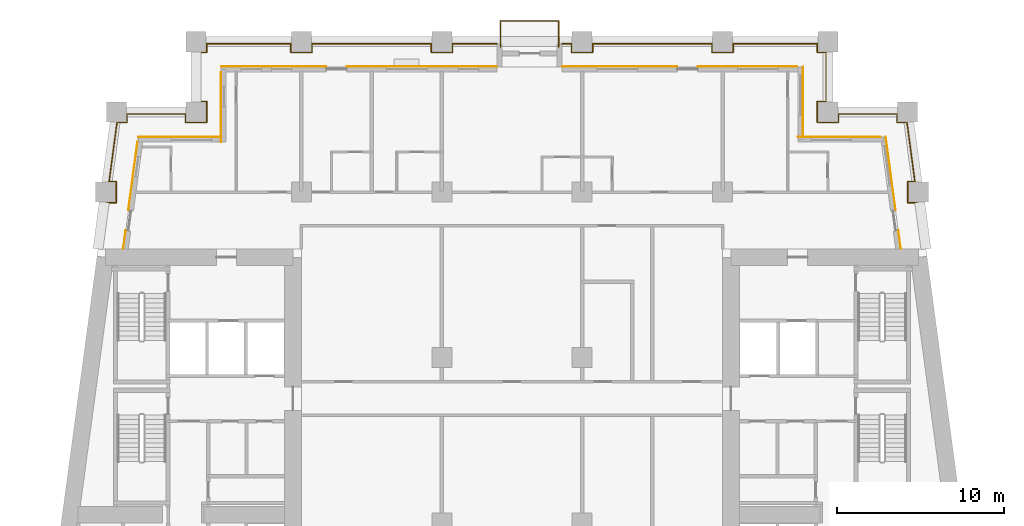
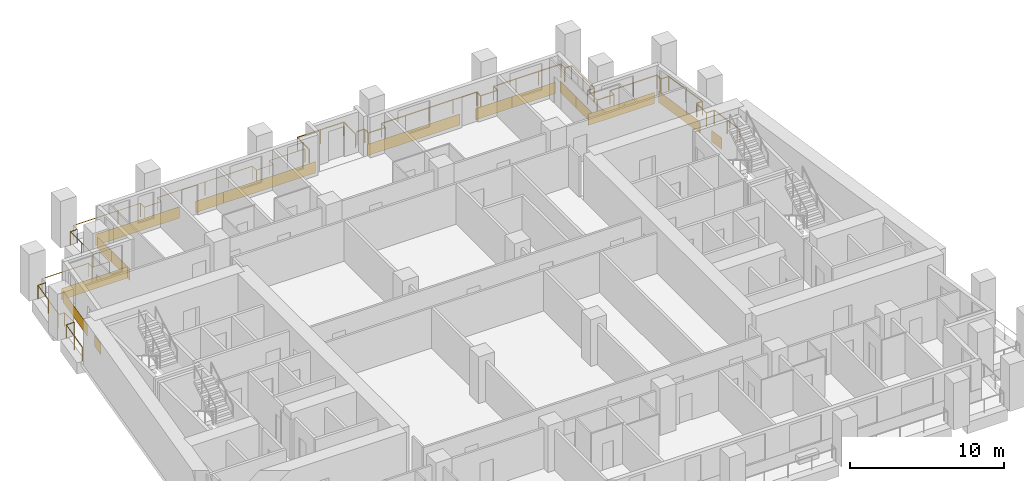
# One storey, part 12 of 13: 16 coverings, 3 railings.
"""IFC4 building model written with IfcOpenShell, lengths in metres."""

from ifc_helpers import new_model, si_unit, direction, frame, origin, origin_2d, place, context, subcontext, project, spatial, rectangle, circle, extrude, material, layer, layer_set, type_object, element, save


model = new_model("IFC4")

# Units and contexts
model_context = context("Model", 3, precision=1e-05, world=origin(), true_north=direction((0.0, 1.0)))
body_context = subcontext(model_context, "Body", "Model", "MODEL_VIEW")
ifc_project = project(units=[si_unit("LENGTHUNIT", "METRE"), si_unit("AREAUNIT", "SQUARE_METRE"), si_unit("VOLUMEUNIT", "CUBIC_METRE"), si_unit("PLANEANGLEUNIT", "RADIAN"), si_unit("MASSUNIT", "GRAM", prefix="KILO")], contexts=[model_context])

# Site, building, storey
site_placement = place(None, origin())
site = spatial("IfcSite", under=ifc_project, at=site_placement, CompositionType="ELEMENT")
building_placement = place(site_placement, origin())
building = spatial("IfcBuilding", under=site, at=building_placement, Name="Candeia Pilgrim Tower and Theatre", CompositionType="ELEMENT")
storey_placement = place(building_placement, frame((0.0, 0.0, 131.699951171875)))
storey = spatial("IfcBuildingStorey", under=building, at=storey_placement, Name="L31", CompositionType="ELEMENT", Elevation=131.699951171875)

# Railings
ifc_material_1 = material(Name="Stainless steel balustrade", Category="steel")
railing_type = type_object("IfcRailingType", Name="G1 loggia guard 1100", PredefinedType="GUARDRAIL", material=ifc_material_1)
railing_1_placement = place(storey_placement, frame((88.758544921875, 132.449951171875, 0.0)))
element("IfcRailing", 1, at=railing_1_placement, inside=storey, type_object=railing_type, Name="Guard L31.2", PredefinedType="GUARDRAIL", context=body_context, shape_type="SweptSolid", body=[
    extrude(circle(Radius=0.02392578125, at=origin_2d()), frame((0.0, 0.0, 1.076171875), z_axis=(0.133433855259, 0.991057720958, 0.0), x_axis=(-0.991057720958, 0.133433855259, 0.0)), (0.0, 0.0, 1.0), 2.74462890625),
    extrude(circle(Radius=0.02392578125, at=origin_2d()), frame((0.3662109375, 2.719970703125, 1.076171875), z_axis=(1.0, 0.0, 0.0), x_axis=(0.0, 1.0, 0.0)), (0.0, 0.0, 1.0), 0.59375),
    extrude(circle(Radius=0.02392578125, at=origin_2d()), frame((0.9599609375, 2.719970703125, 1.076171875), z_axis=(0.0, 1.0, 0.0), x_axis=(-1.0, 0.0, 0.0)), (0.0, 0.0, 1.0), 1.260009765625),
    extrude(circle(Radius=0.02392578125, at=origin_2d()), frame((0.9599609375, 3.97998046875, 1.076171875), z_axis=(-1.0, 0.0, 0.0), x_axis=(0.0, -1.0, 0.0)), (0.0, 0.0, 1.0), 0.424072265625),
    extrude(circle(Radius=0.02392578125, at=origin_2d()), frame((0.535888671875, 3.97998046875, 1.076171875), z_axis=(0.133417176173, 0.991059966451, 0.0), x_axis=(-0.991059966451, 0.133417176173, 0.0)), (0.0, 0.0, 1.0), 3.572021484375),
    extrude(circle(Radius=0.02392578125, at=origin_2d()), frame((1.012451171875, 7.52001953125, 1.076171875), z_axis=(1.0, 0.0, 0.0), x_axis=(0.0, 1.0, 0.0)), (0.0, 0.0, 1.0), 0.593505859375),
    extrude(circle(Radius=0.02392578125, at=origin_2d()), frame((1.60595703125, 7.52001953125, 1.076171875), z_axis=(0.0, 1.0, 0.0), x_axis=(-1.0, 0.0, 0.0)), (0.0, 0.0, 1.0), 0.510009765625),
    extrude(circle(Radius=0.02392578125, at=origin_2d()), frame((1.60595703125, 8.030029296875, 1.076171875), z_axis=(1.0, 0.0, 0.0), x_axis=(0.0, 1.0, 0.0)), (0.0, 0.0, 1.0), 3.505615234375),
    extrude(circle(Radius=0.02392578125, at=origin_2d()), frame((5.111572265625, 8.030029296875, 1.076171875), z_axis=(0.0, -1.0, 0.0), x_axis=(1.0, 0.0, 0.0)), (0.0, 0.0, 1.0), 0.510009765625),
    extrude(circle(Radius=0.02392578125, at=origin_2d()), frame((5.111572265625, 7.52001953125, 1.076171875), z_axis=(1.0, 0.0, 0.0), x_axis=(0.0, 1.0, 0.0)), (0.0, 0.0, 1.0), 1.259765625),
    extrude(circle(Radius=0.02392578125, at=origin_2d()), frame((6.371337890625, 7.52001953125, 1.076171875), z_axis=(0.0, 1.0, 0.0), x_axis=(-1.0, 0.0, 0.0)), (0.0, 0.0, 1.0), 1.260009765625),
    extrude(circle(Radius=0.02392578125, at=origin_2d()), frame((6.371337890625, 8.780029296875, 1.076171875), z_axis=(-1.0, 0.0, 0.0), x_axis=(0.0, -1.0, 0.0)), (0.0, 0.0, 1.0), 0.509765625),
    extrude(circle(Radius=0.02392578125, at=origin_2d()), frame((5.861572265625, 8.780029296875, 1.076171875), z_axis=(0.0, 1.0, 0.0), x_axis=(-1.0, 0.0, 0.0)), (0.0, 0.0, 1.0), 2.93994140625),
    extrude(circle(Radius=0.02392578125, at=origin_2d()), frame((5.861572265625, 11.719970703125, 1.076171875), z_axis=(1.0, 0.0, 0.0), x_axis=(0.0, 1.0, 0.0)), (0.0, 0.0, 1.0), 0.509765625),
    extrude(circle(Radius=0.02392578125, at=origin_2d()), frame((6.371337890625, 11.719970703125, 1.076171875), z_axis=(0.0, 1.0, 0.0), x_axis=(-1.0, 0.0, 0.0)), (0.0, 0.0, 1.0), 0.510009765625),
    extrude(circle(Radius=0.02392578125, at=origin_2d()), frame((6.371337890625, 12.22998046875, 1.076171875), z_axis=(1.0, 0.0, 0.0), x_axis=(0.0, 1.0, 0.0)), (0.0, 0.0, 1.0), 5.0400390625),
    extrude(circle(Radius=0.02392578125, at=origin_2d()), frame((11.411376953125, 12.22998046875, 1.076171875), z_axis=(0.0, -1.0, 0.0), x_axis=(1.0, 0.0, 0.0)), (0.0, 0.0, 1.0), 0.510009765625),
    extrude(circle(Radius=0.02392578125, at=origin_2d()), frame((11.411376953125, 11.719970703125, 1.076171875), z_axis=(1.0, 0.0, 0.0), x_axis=(0.0, 1.0, 0.0)), (0.0, 0.0, 1.0), 1.260009765625),
    extrude(circle(Radius=0.02392578125, at=origin_2d()), frame((12.67138671875, 11.719970703125, 1.076171875), z_axis=(0.0, 1.0, 0.0), x_axis=(-1.0, 0.0, 0.0)), (0.0, 0.0, 1.0), 0.510009765625),
    extrude(circle(Radius=0.02392578125, at=origin_2d()), frame((12.67138671875, 12.22998046875, 1.076171875), z_axis=(1.0, 0.0, 0.0), x_axis=(0.0, 1.0, 0.0)), (0.0, 0.0, 1.0), 7.14013671875),
    extrude(circle(Radius=0.02392578125, at=origin_2d()), frame((19.8115234375, 12.22998046875, 1.076171875), z_axis=(0.0, -1.0, 0.0), x_axis=(1.0, 0.0, 0.0)), (0.0, 0.0, 1.0), 0.510009765625),
    extrude(circle(Radius=0.02392578125, at=origin_2d()), frame((19.8115234375, 11.719970703125, 1.076171875), z_axis=(1.0, 0.0, 0.0), x_axis=(0.0, 1.0, 0.0)), (0.0, 0.0, 1.0), 1.260009765625),
    extrude(circle(Radius=0.02392578125, at=origin_2d()), frame((21.071533203125, 11.719970703125, 1.076171875), z_axis=(0.0, 1.0, 0.0), x_axis=(-1.0, 0.0, 0.0)), (0.0, 0.0, 1.0), 0.510009765625),
    extrude(circle(Radius=0.02392578125, at=origin_2d()), frame((21.071533203125, 12.22998046875, 1.076171875), z_axis=(1.0, 0.0, 0.0), x_axis=(0.0, 1.0, 0.0)), (0.0, 0.0, 1.0), 2.669921875),
    extrude(circle(Radius=0.02099609375, at=origin_2d()), origin(), (0.0, 0.0, 1.0), 1.052001953125),
    extrude(circle(Radius=0.02099609375, at=origin_2d()), frame((0.18310546875, 1.35986328125, 0.0)), (0.0, 0.0, 1.0), 1.052001953125),
    extrude(circle(Radius=0.02099609375, at=origin_2d()), frame((0.3662109375, 2.719970703125, 0.0)), (0.0, 0.0, 1.0), 1.052001953125),
    extrude(circle(Radius=0.02099609375, at=origin_2d()), frame((0.9599609375, 2.719970703125, 0.0)), (0.0, 0.0, 1.0), 1.052001953125),
    extrude(circle(Radius=0.02099609375, at=origin_2d()), frame((0.9599609375, 3.97998046875, 0.0)), (0.0, 0.0, 1.0), 1.052001953125),
    extrude(circle(Radius=0.02099609375, at=origin_2d()), frame((0.535888671875, 3.97998046875, 0.0)), (0.0, 0.0, 1.0), 1.052001953125),
    extrude(circle(Radius=0.02099609375, at=origin_2d()), frame((0.774169921875, 5.75, 0.0)), (0.0, 0.0, 1.0), 1.052001953125),
    extrude(circle(Radius=0.02099609375, at=origin_2d()), frame((1.012451171875, 7.52001953125, 0.0)), (0.0, 0.0, 1.0), 1.052001953125),
    extrude(circle(Radius=0.02099609375, at=origin_2d()), frame((1.60595703125, 7.52001953125, 0.0)), (0.0, 0.0, 1.0), 1.052001953125),
    extrude(circle(Radius=0.02099609375, at=origin_2d()), frame((1.60595703125, 8.030029296875, 0.0)), (0.0, 0.0, 1.0), 1.052001953125),
    extrude(circle(Radius=0.02099609375, at=origin_2d()), frame((3.35888671875, 8.030029296875, 0.0)), (0.0, 0.0, 1.0), 1.052001953125),
    extrude(circle(Radius=0.02099609375, at=origin_2d()), frame((5.111572265625, 8.030029296875, 0.0)), (0.0, 0.0, 1.0), 1.052001953125),
    extrude(circle(Radius=0.02099609375, at=origin_2d()), frame((5.111572265625, 7.52001953125, 0.0)), (0.0, 0.0, 1.0), 1.052001953125),
    extrude(circle(Radius=0.02099609375, at=origin_2d()), frame((6.371337890625, 7.52001953125, 0.0)), (0.0, 0.0, 1.0), 1.052001953125),
    extrude(circle(Radius=0.02099609375, at=origin_2d()), frame((6.371337890625, 8.780029296875, 0.0)), (0.0, 0.0, 1.0), 1.052001953125),
    extrude(circle(Radius=0.02099609375, at=origin_2d()), frame((5.861572265625, 8.780029296875, 0.0)), (0.0, 0.0, 1.0), 1.052001953125),
    extrude(circle(Radius=0.02099609375, at=origin_2d()), frame((5.861572265625, 10.25, 0.0)), (0.0, 0.0, 1.0), 1.052001953125),
    extrude(circle(Radius=0.02099609375, at=origin_2d()), frame((5.861572265625, 11.719970703125, 0.0)), (0.0, 0.0, 1.0), 1.052001953125),
    extrude(circle(Radius=0.02099609375, at=origin_2d()), frame((6.371337890625, 11.719970703125, 0.0)), (0.0, 0.0, 1.0), 1.052001953125),
    extrude(circle(Radius=0.02099609375, at=origin_2d()), frame((6.371337890625, 12.22998046875, 0.0)), (0.0, 0.0, 1.0), 1.052001953125),
    extrude(circle(Radius=0.02099609375, at=origin_2d()), frame((8.05126953125, 12.22998046875, 0.0)), (0.0, 0.0, 1.0), 1.052001953125),
    extrude(circle(Radius=0.02099609375, at=origin_2d()), frame((9.7314453125, 12.22998046875, 0.0)), (0.0, 0.0, 1.0), 1.052001953125),
    extrude(circle(Radius=0.02099609375, at=origin_2d()), frame((11.411376953125, 12.22998046875, 0.0)), (0.0, 0.0, 1.0), 1.052001953125),
    extrude(circle(Radius=0.02099609375, at=origin_2d()), frame((11.411376953125, 11.719970703125, 0.0)), (0.0, 0.0, 1.0), 1.052001953125),
    extrude(circle(Radius=0.02099609375, at=origin_2d()), frame((12.67138671875, 11.719970703125, 0.0)), (0.0, 0.0, 1.0), 1.052001953125),
    extrude(circle(Radius=0.02099609375, at=origin_2d()), frame((12.67138671875, 12.22998046875, 0.0)), (0.0, 0.0, 1.0), 1.052001953125),
    extrude(circle(Radius=0.02099609375, at=origin_2d()), frame((14.45654296875, 12.22998046875, 0.0)), (0.0, 0.0, 1.0), 1.052001953125),
    extrude(circle(Radius=0.02099609375, at=origin_2d()), frame((16.241455078125, 12.22998046875, 0.0)), (0.0, 0.0, 1.0), 1.052001953125),
    extrude(circle(Radius=0.02099609375, at=origin_2d()), frame((18.0263671875, 12.22998046875, 0.0)), (0.0, 0.0, 1.0), 1.052001953125),
    extrude(circle(Radius=0.02099609375, at=origin_2d()), frame((19.8115234375, 12.22998046875, 0.0)), (0.0, 0.0, 1.0), 1.052001953125),
    extrude(circle(Radius=0.02099609375, at=origin_2d()), frame((19.8115234375, 11.719970703125, 0.0)), (0.0, 0.0, 1.0), 1.052001953125),
    extrude(circle(Radius=0.02099609375, at=origin_2d()), frame((21.071533203125, 11.719970703125, 0.0)), (0.0, 0.0, 1.0), 1.052001953125),
    extrude(circle(Radius=0.02099609375, at=origin_2d()), frame((21.071533203125, 12.22998046875, 0.0)), (0.0, 0.0, 1.0), 1.052001953125),
    extrude(circle(Radius=0.02099609375, at=origin_2d()), frame((22.406494140625, 12.22998046875, 0.0)), (0.0, 0.0, 1.0), 1.052001953125),
    extrude(circle(Radius=0.02099609375, at=origin_2d()), frame((23.741455078125, 12.22998046875, 0.0)), (0.0, 0.0, 1.0), 1.052001953125),
])
railing_2_placement = place(storey_placement, frame((116.39990234375, 144.679931640625, 0.0)))
element("IfcRailing", 2, at=railing_2_placement, inside=storey, type_object=railing_type, Name="Guard L31.3", PredefinedType="GUARDRAIL", context=body_context, shape_type="SweptSolid", body=[
    extrude(circle(Radius=0.02392578125, at=origin_2d()), frame((0.0, 0.0, 1.076171875), z_axis=(1.0, 0.0, 0.0), x_axis=(0.0, 1.0, 0.0)), (0.0, 0.0, 1.0), 0.570068359375),
    extrude(circle(Radius=0.02392578125, at=origin_2d()), frame((0.570068359375, 0.0, 1.076171875), z_axis=(0.0, -1.0, 0.0), x_axis=(1.0, 0.0, 0.0)), (0.0, 0.0, 1.0), 0.510009765625),
    extrude(circle(Radius=0.02392578125, at=origin_2d()), frame((0.570068359375, -0.510009765625, 1.076171875), z_axis=(1.0, 0.0, 0.0), x_axis=(0.0, 1.0, 0.0)), (0.0, 0.0, 1.0), 1.260009765625),
    extrude(circle(Radius=0.02392578125, at=origin_2d()), frame((1.830078125, -0.510009765625, 1.076171875), z_axis=(0.0, 1.0, 0.0), x_axis=(-1.0, 0.0, 0.0)), (0.0, 0.0, 1.0), 0.510009765625),
    extrude(circle(Radius=0.02392578125, at=origin_2d()), frame((1.830078125, 0.0, 1.076171875), z_axis=(1.0, 0.0, 0.0), x_axis=(0.0, 1.0, 0.0)), (0.0, 0.0, 1.0), 7.14013671875),
    extrude(circle(Radius=0.02392578125, at=origin_2d()), frame((8.97021484375, 0.0, 1.076171875), z_axis=(0.0, -1.0, 0.0), x_axis=(1.0, 0.0, 0.0)), (0.0, 0.0, 1.0), 0.510009765625),
    extrude(circle(Radius=0.02392578125, at=origin_2d()), frame((8.97021484375, -0.510009765625, 1.076171875), z_axis=(1.0, 0.0, 0.0), x_axis=(0.0, 1.0, 0.0)), (0.0, 0.0, 1.0), 1.259765625),
    extrude(circle(Radius=0.02392578125, at=origin_2d()), frame((10.22998046875, -0.510009765625, 1.076171875), z_axis=(0.0, 1.0, 0.0), x_axis=(-1.0, 0.0, 0.0)), (0.0, 0.0, 1.0), 0.510009765625),
    extrude(circle(Radius=0.02392578125, at=origin_2d()), frame((10.22998046875, 0.0, 1.076171875), z_axis=(1.0, 0.0, 0.0), x_axis=(0.0, 1.0, 0.0)), (0.0, 0.0, 1.0), 5.0400390625),
    extrude(circle(Radius=0.02392578125, at=origin_2d()), frame((15.27001953125, 0.0, 1.076171875), z_axis=(0.0, -1.0, 0.0), x_axis=(1.0, 0.0, 0.0)), (0.0, 0.0, 1.0), 0.510009765625),
    extrude(circle(Radius=0.02392578125, at=origin_2d()), frame((15.27001953125, -0.510009765625, 1.076171875), z_axis=(1.0, 0.0, 0.0), x_axis=(0.0, 1.0, 0.0)), (0.0, 0.0, 1.0), 0.510009765625),
    extrude(circle(Radius=0.02392578125, at=origin_2d()), frame((15.780029296875, -0.510009765625, 1.076171875), z_axis=(0.0, -1.0, 0.0), x_axis=(1.0, 0.0, 0.0)), (0.0, 0.0, 1.0), 2.93994140625),
    extrude(circle(Radius=0.02392578125, at=origin_2d()), frame((15.780029296875, -3.449951171875, 1.076171875), z_axis=(-1.0, 0.0, 0.0), x_axis=(0.0, -1.0, 0.0)), (0.0, 0.0, 1.0), 0.510009765625),
    extrude(circle(Radius=0.02392578125, at=origin_2d()), frame((15.27001953125, -3.449951171875, 1.076171875), z_axis=(0.0, -1.0, 0.0), x_axis=(1.0, 0.0, 0.0)), (0.0, 0.0, 1.0), 1.260009765625),
    extrude(circle(Radius=0.02392578125, at=origin_2d()), frame((15.27001953125, -4.7099609375, 1.076171875), z_axis=(1.0, 0.0, 0.0), x_axis=(0.0, 1.0, 0.0)), (0.0, 0.0, 1.0), 1.260009765625),
    extrude(circle(Radius=0.02392578125, at=origin_2d()), frame((16.530029296875, -4.7099609375, 1.076171875), z_axis=(0.0, 1.0, 0.0), x_axis=(-1.0, 0.0, 0.0)), (0.0, 0.0, 1.0), 0.510009765625),
    extrude(circle(Radius=0.02392578125, at=origin_2d()), frame((16.530029296875, -4.199951171875, 1.076171875), z_axis=(1.0, 0.0, 0.0), x_axis=(0.0, 1.0, 0.0)), (0.0, 0.0, 1.0), 3.50537109375),
    extrude(circle(Radius=0.02392578125, at=origin_2d()), frame((20.035400390625, -4.199951171875, 1.076171875), z_axis=(0.0, -1.0, 0.0), x_axis=(1.0, 0.0, 0.0)), (0.0, 0.0, 1.0), 0.510009765625),
    extrude(circle(Radius=0.02392578125, at=origin_2d()), frame((20.035400390625, -4.7099609375, 1.076171875), z_axis=(1.0, 0.0, 0.0), x_axis=(0.0, 1.0, 0.0)), (0.0, 0.0, 1.0), 0.59375),
    extrude(circle(Radius=0.02392578125, at=origin_2d()), frame((20.629150390625, -4.7099609375, 1.076171875), z_axis=(0.133417176173, -0.991059966451, 0.0), x_axis=(0.991059966451, 0.133417176173, 0.0)), (0.0, 0.0, 1.0), 3.572021484375),
    extrude(circle(Radius=0.02392578125, at=origin_2d()), frame((21.105712890625, -8.25, 1.076171875), z_axis=(-1.0, 0.0, 0.0), x_axis=(0.0, -1.0, 0.0)), (0.0, 0.0, 1.0), 0.424072265625),
    extrude(circle(Radius=0.02392578125, at=origin_2d()), frame((20.681640625, -8.25, 1.076171875), z_axis=(0.0, -1.0, 0.0), x_axis=(1.0, 0.0, 0.0)), (0.0, 0.0, 1.0), 1.260009765625),
    extrude(circle(Radius=0.02392578125, at=origin_2d()), frame((20.681640625, -9.510009765625, 1.076171875), z_axis=(1.0, 0.0, 0.0), x_axis=(0.0, 1.0, 0.0)), (0.0, 0.0, 1.0), 0.59375),
    extrude(circle(Radius=0.02392578125, at=origin_2d()), frame((21.275390625, -9.510009765625, 1.076171875), z_axis=(0.133433855259, -0.991057720958, 0.0), x_axis=(0.991057720958, 0.133433855259, 0.0)), (0.0, 0.0, 1.0), 2.74462890625),
    extrude(circle(Radius=0.02099609375, at=origin_2d()), origin(), (0.0, 0.0, 1.0), 1.052001953125),
    extrude(circle(Radius=0.02099609375, at=origin_2d()), frame((0.570068359375, 0.0, 0.0)), (0.0, 0.0, 1.0), 1.052001953125),
    extrude(circle(Radius=0.02099609375, at=origin_2d()), frame((0.570068359375, -0.510009765625, 0.0)), (0.0, 0.0, 1.0), 1.052001953125),
    extrude(circle(Radius=0.02099609375, at=origin_2d()), frame((1.830078125, -0.510009765625, 0.0)), (0.0, 0.0, 1.0), 1.052001953125),
    extrude(circle(Radius=0.02099609375, at=origin_2d()), frame((1.830078125, 0.0, 0.0)), (0.0, 0.0, 1.0), 1.052001953125),
    extrude(circle(Radius=0.02099609375, at=origin_2d()), frame((3.615234375, 0.0, 0.0)), (0.0, 0.0, 1.0), 1.052001953125),
    extrude(circle(Radius=0.02099609375, at=origin_2d()), frame((5.400146484375, 0.0, 0.0)), (0.0, 0.0, 1.0), 1.052001953125),
    extrude(circle(Radius=0.02099609375, at=origin_2d()), frame((7.18505859375, 0.0, 0.0)), (0.0, 0.0, 1.0), 1.052001953125),
    extrude(circle(Radius=0.02099609375, at=origin_2d()), frame((8.97021484375, 0.0, 0.0)), (0.0, 0.0, 1.0), 1.052001953125),
    extrude(circle(Radius=0.02099609375, at=origin_2d()), frame((8.97021484375, -0.510009765625, 0.0)), (0.0, 0.0, 1.0), 1.052001953125),
    extrude(circle(Radius=0.02099609375, at=origin_2d()), frame((10.22998046875, -0.510009765625, 0.0)), (0.0, 0.0, 1.0), 1.052001953125),
    extrude(circle(Radius=0.02099609375, at=origin_2d()), frame((10.22998046875, 0.0, 0.0)), (0.0, 0.0, 1.0), 1.052001953125),
    extrude(circle(Radius=0.02099609375, at=origin_2d()), frame((11.909912109375, 0.0, 0.0)), (0.0, 0.0, 1.0), 1.052001953125),
    extrude(circle(Radius=0.02099609375, at=origin_2d()), frame((13.590087890625, 0.0, 0.0)), (0.0, 0.0, 1.0), 1.052001953125),
    extrude(circle(Radius=0.02099609375, at=origin_2d()), frame((15.27001953125, 0.0, 0.0)), (0.0, 0.0, 1.0), 1.052001953125),
    extrude(circle(Radius=0.02099609375, at=origin_2d()), frame((15.27001953125, -0.510009765625, 0.0)), (0.0, 0.0, 1.0), 1.052001953125),
    extrude(circle(Radius=0.02099609375, at=origin_2d()), frame((15.780029296875, -0.510009765625, 0.0)), (0.0, 0.0, 1.0), 1.052001953125),
    extrude(circle(Radius=0.02099609375, at=origin_2d()), frame((15.780029296875, -1.97998046875, 0.0)), (0.0, 0.0, 1.0), 1.052001953125),
    extrude(circle(Radius=0.02099609375, at=origin_2d()), frame((15.780029296875, -3.449951171875, 0.0)), (0.0, 0.0, 1.0), 1.052001953125),
    extrude(circle(Radius=0.02099609375, at=origin_2d()), frame((15.27001953125, -3.449951171875, 0.0)), (0.0, 0.0, 1.0), 1.052001953125),
    extrude(circle(Radius=0.02099609375, at=origin_2d()), frame((15.27001953125, -4.7099609375, 0.0)), (0.0, 0.0, 1.0), 1.052001953125),
    extrude(circle(Radius=0.02099609375, at=origin_2d()), frame((16.530029296875, -4.7099609375, 0.0)), (0.0, 0.0, 1.0), 1.052001953125),
    extrude(circle(Radius=0.02099609375, at=origin_2d()), frame((16.530029296875, -4.199951171875, 0.0)), (0.0, 0.0, 1.0), 1.052001953125),
    extrude(circle(Radius=0.02099609375, at=origin_2d()), frame((18.28271484375, -4.199951171875, 0.0)), (0.0, 0.0, 1.0), 1.052001953125),
    extrude(circle(Radius=0.02099609375, at=origin_2d()), frame((20.035400390625, -4.199951171875, 0.0)), (0.0, 0.0, 1.0), 1.052001953125),
    extrude(circle(Radius=0.02099609375, at=origin_2d()), frame((20.035400390625, -4.7099609375, 0.0)), (0.0, 0.0, 1.0), 1.052001953125),
    extrude(circle(Radius=0.02099609375, at=origin_2d()), frame((20.629150390625, -4.7099609375, 0.0)), (0.0, 0.0, 1.0), 1.052001953125),
    extrude(circle(Radius=0.02099609375, at=origin_2d()), frame((20.867431640625, -6.47998046875, 0.0)), (0.0, 0.0, 1.0), 1.052001953125),
    extrude(circle(Radius=0.02099609375, at=origin_2d()), frame((21.105712890625, -8.25, 0.0)), (0.0, 0.0, 1.0), 1.052001953125),
    extrude(circle(Radius=0.02099609375, at=origin_2d()), frame((20.681640625, -8.25, 0.0)), (0.0, 0.0, 1.0), 1.052001953125),
    extrude(circle(Radius=0.02099609375, at=origin_2d()), frame((20.681640625, -9.510009765625, 0.0)), (0.0, 0.0, 1.0), 1.052001953125),
    extrude(circle(Radius=0.02099609375, at=origin_2d()), frame((21.275390625, -9.510009765625, 0.0)), (0.0, 0.0, 1.0), 1.052001953125),
    extrude(circle(Radius=0.02099609375, at=origin_2d()), frame((21.45849609375, -10.8701171875, 0.0)), (0.0, 0.0, 1.0), 1.052001953125),
    extrude(circle(Radius=0.02099609375, at=origin_2d()), frame((21.6416015625, -12.22998046875, 0.0)), (0.0, 0.0, 1.0), 1.052001953125),
])
railing_3_placement = place(storey_placement, frame((112.7099609375, 144.5, 0.0)))
element("IfcRailing", 3, at=railing_3_placement, inside=storey, type_object=railing_type, Name="Balcony guard L31", PredefinedType="GUARDRAIL", context=body_context, shape_type="SweptSolid", body=[
    extrude(circle(Radius=0.02392578125, at=origin_2d()), frame((0.0, 0.0, 1.076171875), z_axis=(0.0, 1.0, 0.0), x_axis=(-1.0, 0.0, 0.0)), (0.0, 0.0, 1.0), 1.5400390625),
    extrude(circle(Radius=0.02392578125, at=origin_2d()), frame((0.0, 1.5400390625, 1.076171875), z_axis=(1.0, 0.0, 0.0), x_axis=(0.0, 1.0, 0.0)), (0.0, 0.0, 1.0), 3.47998046875),
    extrude(circle(Radius=0.02392578125, at=origin_2d()), frame((3.47998046875, 1.5400390625, 1.076171875), z_axis=(0.0, -1.0, 0.0), x_axis=(1.0, 0.0, 0.0)), (0.0, 0.0, 1.0), 1.5400390625),
    extrude(circle(Radius=0.02099609375, at=origin_2d()), origin(), (0.0, 0.0, 1.0), 1.052001953125),
    extrude(circle(Radius=0.02099609375, at=origin_2d()), frame((0.0, 1.5400390625, 0.0)), (0.0, 0.0, 1.0), 1.052001953125),
    extrude(circle(Radius=0.02099609375, at=origin_2d()), frame((1.739990234375, 1.5400390625, 0.0)), (0.0, 0.0, 1.0), 1.052001953125),
    extrude(circle(Radius=0.02099609375, at=origin_2d()), frame((3.47998046875, 1.5400390625, 0.0)), (0.0, 0.0, 1.0), 1.052001953125),
    extrude(circle(Radius=0.02099609375, at=origin_2d()), frame((3.47998046875, 0.0, 0.0)), (0.0, 0.0, 1.0), 1.052001953125),
])

# Coverings
ifc_material_2 = material(Name="Glazed ceramic tile red")
ifc_layer_1 = layer(ifc_material_2, 0.02001953125)
ifc_layer_set_1 = layer_set([ifc_layer_1], Name="Glazed ceramic tile red")
covering_type_1 = type_object("IfcCoveringType", Name="Glazed ceramic tile red", PredefinedType="CLADDING", material=ifc_layer_set_1)
covering_1_placement = place(storey_placement, frame((132.976318359375, 139.110107421875, 0.0), z_axis=(0.0, 0.0, 1.0), x_axis=(-1.0, 0.0, 0.0)))
element("IfcCovering", 4, at=covering_1_placement, inside=storey, type_object=covering_type_1, Name="Tile cladding red L31", PredefinedType="CLADDING", context=body_context, shape_type="SweptSolid", body=[
    extrude(rectangle(XDim=4.95263671875, YDim=0.02001953125, at=origin_2d()), origin(), (0.0, 0.0, 1.0), 0.89990234375),
])
covering_2_placement = place(storey_placement, frame((130.81005859375, 142.25, 0.0), z_axis=(0.0, 0.0, 1.0), x_axis=(0.0, 1.0, 0.0)))
element("IfcCovering", 5, at=covering_2_placement, inside=storey, type_object=covering_type_1, Name="Tile cladding red L31", PredefinedType="CLADDING", context=body_context, shape_type="SweptSolid", body=[
    extrude(rectangle(XDim=2.10009765625, YDim=0.02001953125, at=origin_2d()), origin(), (0.0, 0.0, 1.0), 0.89990234375),
])
covering_3_placement = place(storey_placement, frame((128.840087890625, 143.31005859375, 0.0), z_axis=(0.0, 0.0, 1.0), x_axis=(-1.0, 0.0, 0.0)))
element("IfcCovering", 6, at=covering_3_placement, inside=storey, type_object=covering_type_1, Name="Tile cladding red L31", PredefinedType="CLADDING", context=body_context, shape_type="SweptSolid", body=[
    extrude(rectangle(XDim=3.280029296875, YDim=0.02001953125, at=origin_2d()), origin(), (0.0, 0.0, 1.0), 0.89990234375),
])
covering_4_placement = place(storey_placement, frame((104.550048828125, 143.31005859375, 0.0), z_axis=(0.0, 0.0, 1.0), x_axis=(-1.0, 0.0, 0.0)))
element("IfcCovering", 7, at=covering_4_placement, inside=storey, type_object=covering_type_1, Name="Tile cladding red L31", PredefinedType="CLADDING", context=body_context, shape_type="SweptSolid", body=[
    extrude(rectangle(XDim=2.10009765625, YDim=0.02001953125, at=origin_2d()), origin(), (0.0, 0.0, 1.0), 0.89990234375),
])
covering_5_placement = place(storey_placement, frame((99.14990234375, 143.31005859375, 0.0), z_axis=(0.0, 0.0, 1.0), x_axis=(-1.0, 0.0, 0.0)))
element("IfcCovering", 8, at=covering_5_placement, inside=storey, type_object=covering_type_1, Name="Tile cladding red L31", PredefinedType="CLADDING", context=body_context, shape_type="SweptSolid", body=[
    extrude(rectangle(XDim=6.300048828125, YDim=0.02001953125, at=origin_2d()), origin(), (0.0, 0.0, 1.0), 0.89990234375),
])
covering_6_placement = place(storey_placement, frame((95.989990234375, 142.090087890625, 0.0), z_axis=(0.0, 0.0, 1.0), x_axis=(0.0, -1.0, 0.0)))
element("IfcCovering", 9, at=covering_6_placement, inside=storey, type_object=covering_type_1, Name="Tile cladding red L31", PredefinedType="CLADDING", context=body_context, shape_type="SweptSolid", body=[
    extrude(rectangle(XDim=1.780029296875, YDim=0.02001953125, at=origin_2d()), origin(), (0.0, 0.0, 1.0), 0.89990234375),
])
covering_7_placement = place(storey_placement, frame((93.51318359375, 139.110107421875, 0.0), z_axis=(0.0, 0.0, 1.0), x_axis=(-1.0, 0.0, 0.0)))
element("IfcCovering", 10, at=covering_7_placement, inside=storey, type_object=covering_type_1, Name="Tile cladding red L31", PredefinedType="CLADDING", context=body_context, shape_type="SweptSolid", body=[
    extrude(rectangle(XDim=4.933837890625, YDim=0.02001953125, at=origin_2d()), origin(), (0.0, 0.0, 1.0), 0.89990234375),
])
ifc_material_3 = material(Name="Glazed ceramic tile rust")
ifc_layer_2 = layer(ifc_material_3, 0.02001953125)
ifc_layer_set_2 = layer_set([ifc_layer_2], Name="Glazed ceramic tile rust")
covering_type_2 = type_object("IfcCoveringType", Name="Glazed ceramic tile rust", PredefinedType="CLADDING", material=ifc_layer_set_2)
covering_8_placement = place(storey_placement, frame((136.588623046875, 132.97412109375, 0.0), z_axis=(0.0, 0.0, 1.0), x_axis=(-0.133412012145, 0.991060661622, 0.0)))
element("IfcCovering", 11, at=covering_8_placement, inside=storey, type_object=covering_type_2, Name="Tile cladding rust L31", PredefinedType="CLADDING", context=body_context, shape_type="SweptSolid", body=[
    extrude(rectangle(XDim=1.115234375, YDim=0.02001953125, at=origin_2d()), origin(), (0.0, 0.0, 1.0), 0.89990234375),
])
covering_9_placement = place(storey_placement, frame((136.058837890625, 136.90869140625, 0.0), z_axis=(0.0, 0.0, 1.0), x_axis=(-0.133412012145, 0.991060661622, 0.0)))
element("IfcCovering", 12, at=covering_9_placement, inside=storey, type_object=covering_type_2, Name="Tile cladding rust L31", PredefinedType="CLADDING", context=body_context, shape_type="SweptSolid", body=[
    extrude(rectangle(XDim=4.4248046875, YDim=0.02001953125, at=origin_2d()), origin(), (0.0, 0.0, 1.0), 0.89990234375),
])
covering_10_placement = place(storey_placement, frame((130.81005859375, 140.159912109375, 0.0), z_axis=(0.0, 0.0, 1.0), x_axis=(0.0, 1.0, 0.0)))
element("IfcCovering", 13, at=covering_10_placement, inside=storey, type_object=covering_type_2, Name="Tile cladding rust L31", PredefinedType="CLADDING", context=body_context, shape_type="SweptSolid", body=[
    extrude(rectangle(XDim=2.080078125, YDim=0.02001953125, at=origin_2d()), origin(), (0.0, 0.0, 1.0), 0.89990234375),
])
covering_11_placement = place(storey_placement, frame((125.85009765625, 143.31005859375, 0.0), z_axis=(0.0, 0.0, 1.0), x_axis=(-1.0, 0.0, 0.0)))
element("IfcCovering", 14, at=covering_11_placement, inside=storey, type_object=covering_type_2, Name="Tile cladding rust L31", PredefinedType="CLADDING", context=body_context, shape_type="SweptSolid", body=[
    extrude(rectangle(XDim=2.699951171875, YDim=0.02001953125, at=origin_2d()), origin(), (0.0, 0.0, 1.0), 0.89990234375),
])
for number, where, z_axis, x_axis, name in (
    (15, (119.85009765625, 143.31005859375, 0.0), (0.0, 0.0, 1.0), (-1.0, 0.0, 0.0), "Tile cladding rust L31"),
    (16, (109.050048828125, 143.31005859375, 0.0), (0.0, 0.0, 1.0), (-1.0, 0.0, 0.0), "Tile cladding rust L31"),
):
    element("IfcCovering", number, at=place(storey_placement, frame(where, z_axis=z_axis, x_axis=x_axis)), inside=storey, type_object=covering_type_2, Name=name, PredefinedType="CLADDING", context=body_context, shape_type="SweptSolid", body=[
        extrude(rectangle(XDim=6.89990234375, YDim=0.02001953125, at=origin_2d()), origin(), (0.0, 0.0, 1.0), 0.89990234375),
    ])
covering_12_placement = place(storey_placement, frame((95.989990234375, 140.0, 0.0), z_axis=(0.0, 0.0, 1.0), x_axis=(0.0, -1.0, 0.0)))
element("IfcCovering", 17, at=covering_12_placement, inside=storey, type_object=covering_type_2, Name="Tile cladding rust L31", PredefinedType="CLADDING", context=body_context, shape_type="SweptSolid", body=[
    extrude(rectangle(XDim=2.39990234375, YDim=0.02001953125, at=origin_2d()), origin(), (0.0, 0.0, 1.0), 0.89990234375),
])
covering_13_placement = place(storey_placement, frame((90.720947265625, 136.759521484375, 0.0), z_axis=(0.0, 0.0, 1.0), x_axis=(-0.133412012145, -0.991060661622, 0.0)))
element("IfcCovering", 18, at=covering_13_placement, inside=storey, type_object=covering_type_2, Name="Tile cladding rust L31", PredefinedType="CLADDING", context=body_context, shape_type="SweptSolid", body=[
    extrude(rectangle(XDim=4.123779296875, YDim=0.02001953125, at=origin_2d()), origin(), (0.0, 0.0, 1.0), 0.89990234375),
])
covering_14_placement = place(storey_placement, frame((90.21142578125, 132.97412109375, 0.0), z_axis=(0.0, 0.0, 1.0), x_axis=(-0.133412012145, -0.991060661622, 0.0)))
element("IfcCovering", 19, at=covering_14_placement, inside=storey, type_object=covering_type_2, Name="Tile cladding rust L31", PredefinedType="CLADDING", context=body_context, shape_type="SweptSolid", body=[
    extrude(rectangle(XDim=1.115234375, YDim=0.02001953125, at=origin_2d()), origin(), (0.0, 0.0, 1.0), 0.89990234375),
])

save(model, "model.ifc")
